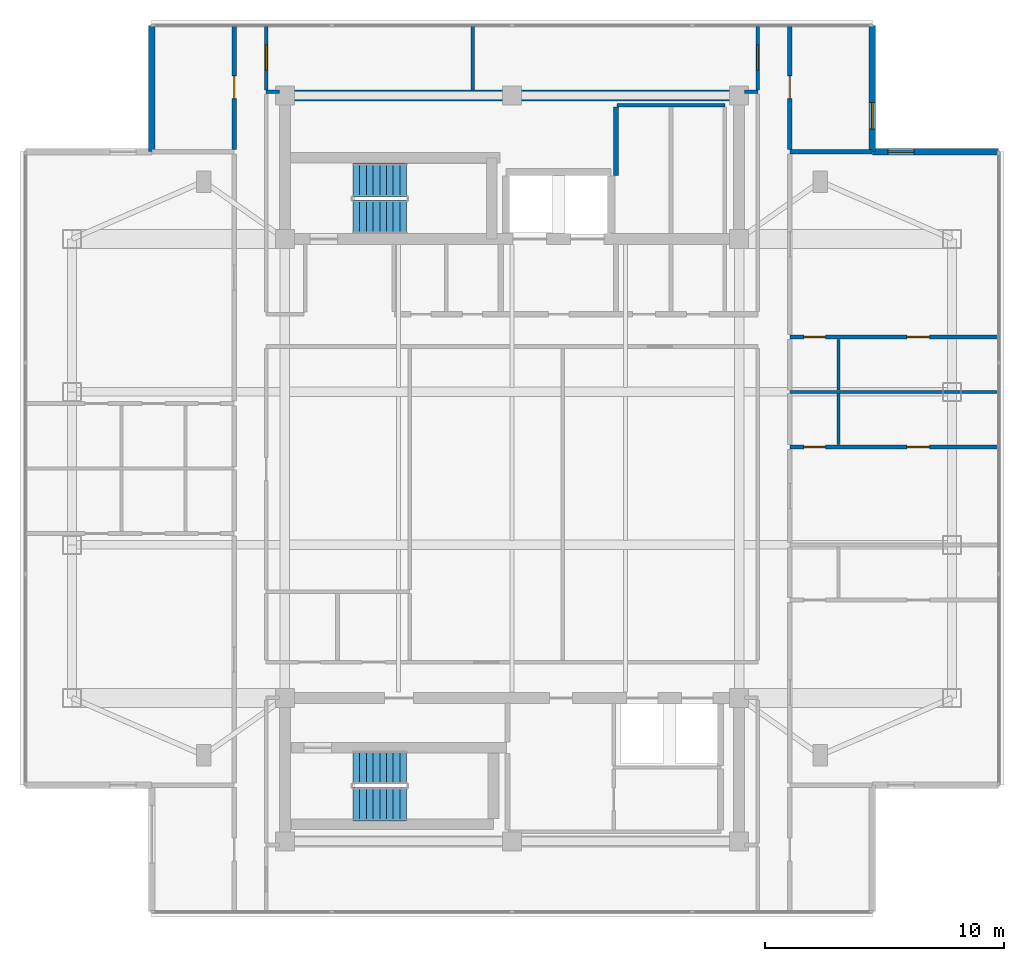
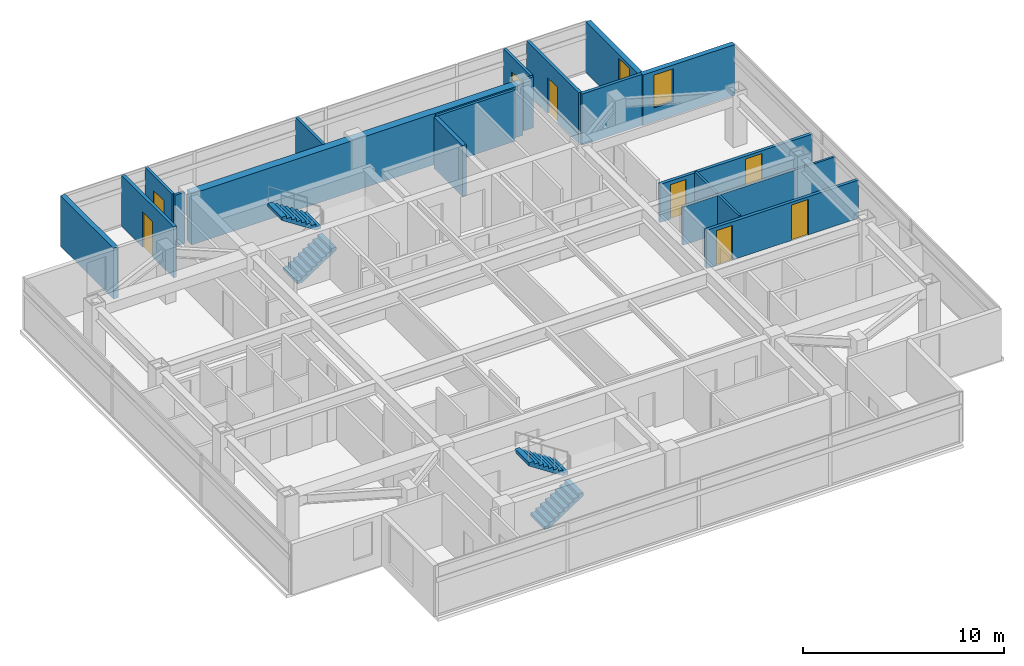
# One storey, part 9 of 12: 19 walls, 8 doors, 4 stair flights, 2 windows, 10 openings, 2 elements without a shape of their own.
"""IFC4 building model written with IfcOpenShell, lengths in metres."""

import ifcopenshell
import ifcopenshell.guid

model = None  # the IFC model being written
_history = None  # IfcOwnerHistory: only IFC2X3 demands one
_inside = {}  # id of a spatial element -> (the spatial element, [elements in it])
_under = {}  # id of a project, library or spatial element -> (it, [spatial elements below it])
_declared = {}  # id of a project -> (the project, [libraries it declares])
_typed = {}  # id of a type object -> (the type object, [elements of that type])
_made_of = {}  # id of a material, layer set ... -> (it, [elements and type objects made of it])


def new_model(schema):
    """Start an empty IFC model of exactly this schema.

    Asked for "IFC4X3", IfcOpenShell would pick the latest addendum, in which some entities
    have other attributes; the version numbers below select the first issue.
    IFC2X3 requires an IfcOwnerHistory on every rooted entity: one is made here for all.
    """
    global model, _history
    if schema == "IFC4X3":
        model = ifcopenshell.file(schema_version=(4, 3, 0, 0))
    else:
        model = ifcopenshell.file(schema=schema)
    _inside.clear()
    _under.clear()
    _declared.clear()
    _typed.clear()
    _made_of.clear()
    _history = None
    if model.schema == "IFC2X3":
        org = make("IfcOrganization", Name="unknown")
        user = make(
            "IfcPersonAndOrganization",
            ThePerson=make("IfcPerson", FamilyName="unknown"),
            TheOrganization=org,
        )
        app = make(
            "IfcApplication",
            ApplicationDeveloper=org,
            Version="unknown",
            ApplicationFullName="unknown",
            ApplicationIdentifier="unknown",
        )
        _history = make(
            "IfcOwnerHistory",
            OwningUser=user,
            OwningApplication=app,
            ChangeAction="ADDED",
            CreationDate=0,
        )
    return model


def make(cls, **values):
    """One entity of the class cls with the attributes given. An attribute that is None is left unset."""
    return model.create_entity(
        cls, **{name: value for name, value in values.items() if value is not None}
    )


def rooted(cls, **values):
    """An entity with a GlobalId (a new one), such as an element, a storey or a relation."""
    return make(cls, GlobalId=ifcopenshell.guid.new(), OwnerHistory=_history, **values)


def si_unit(unit_type, name, prefix=None):
    """IfcSIUnit, for example si_unit("LENGTHUNIT", "METRE", prefix="MILLI")."""
    return make("IfcSIUnit", UnitType=unit_type, Prefix=prefix, Name=name)


def assignment(units):
    """IfcUnitAssignment: the units of a project."""
    return None if units is None else make("IfcUnitAssignment", Units=units)


def point(xyz):
    """IfcCartesianPoint."""
    return None if xyz is None else make("IfcCartesianPoint", Coordinates=xyz)


def direction(xyz):
    """IfcDirection."""
    return None if xyz is None else make("IfcDirection", DirectionRatios=xyz)


def frame(location, z_axis=None, x_axis=None):
    """IfcAxis2Placement3D, a coordinate frame: its origin and axes. An axis left out is left unset."""
    return make(
        "IfcAxis2Placement3D",
        Location=point(location),
        Axis=direction(z_axis),
        RefDirection=direction(x_axis),
    )


def frame_2d(location, x_axis=None):
    """IfcAxis2Placement2D, a coordinate frame in the plane: its origin and x axis."""
    return make(
        "IfcAxis2Placement2D", Location=point(location), RefDirection=direction(x_axis)
    )


def origin():
    """The frame at (0, 0, 0) with its axes left unset."""
    return frame((0.0, 0.0, 0.0))


def place(relative_to, where):
    """IfcLocalPlacement: puts the frame where relative to a parent placement (None: the world)."""
    return make(
        "IfcLocalPlacement", PlacementRelTo=relative_to, RelativePlacement=where
    )


def context(
    kind, dimensions, precision=None, world=None, true_north=None, identifier=None
):
    """IfcGeometricRepresentationContext, for example the 3D "Model" context."""
    return make(
        "IfcGeometricRepresentationContext",
        ContextIdentifier=identifier,
        ContextType=kind,
        CoordinateSpaceDimension=dimensions,
        Precision=precision,
        WorldCoordinateSystem=world,
        TrueNorth=true_north,
    )


def subcontext(parent, identifier, kind, view, scale=None):
    """IfcGeometricRepresentationSubContext, for example "Body" below "Model"."""
    return make(
        "IfcGeometricRepresentationSubContext",
        ContextIdentifier=identifier,
        ContextType=kind,
        ParentContext=parent,
        TargetScale=scale,
        TargetView=view,
    )


def project(units=None, contexts=None):
    """IfcProject with its units and contexts."""
    return rooted(
        "IfcProject",
        Name="project",
        RepresentationContexts=contexts,
        UnitsInContext=assignment(units),
    )


def spatial(cls, under=None, at=None, **own):
    """A site, building, storey or space (cls), placed at a placement, below another one or the project."""
    s = rooted(cls, ObjectPlacement=at, **own)
    if under is not None:
        _under.setdefault(under.id(), (under, []))[1].append(s)
    return s


def polyline(points):
    """IfcPolyline through the points."""
    return make("IfcPolyline", Points=[point(p) for p in points])


def profile(cls, at=None, kind="AREA", **sizes):
    """A parametric profile (cls). Its sizes go by their IFC names, for example OverallWidth=200.0."""
    return make(cls, ProfileType=kind, Position=at, **sizes)


def rectangle(**sizes):
    """IfcRectangleProfileDef."""
    return profile("IfcRectangleProfileDef", **sizes)


def outline(outer, holes=None, kind="AREA"):
    """IfcArbitraryClosedProfileDef: a profile drawn as a closed curve; with holes, ...WithVoids."""
    if holes is None:
        return make("IfcArbitraryClosedProfileDef", ProfileType=kind, OuterCurve=outer)
    return make(
        "IfcArbitraryProfileDefWithVoids",
        ProfileType=kind,
        OuterCurve=outer,
        InnerCurves=holes,
    )


def extrude(swept, where, along, depth):
    """IfcExtrudedAreaSolid: the profile swept, set in the frame where, extruded along a direction by depth."""
    return make(
        "IfcExtrudedAreaSolid",
        SweptArea=swept,
        Position=where,
        ExtrudedDirection=direction(along),
        Depth=depth,
    )


def shape(context_of_items, identifier, shape_type, items):
    """IfcShapeRepresentation: the items that make up one representation, for example the "Body"."""
    return make(
        "IfcShapeRepresentation",
        ContextOfItems=context_of_items,
        RepresentationIdentifier=identifier,
        RepresentationType=shape_type,
        Items=items,
    )


def material(Name=None, Category=None):
    """IfcMaterial."""
    return make("IfcMaterial", Name=Name, Category=Category)


def layer(
    of_material, thickness, ventilated=None, Name=None, Category=None, Priority=None
):
    """IfcMaterialLayer: one layer of a wall or slab, of a material (None: an air gap)."""
    return make(
        "IfcMaterialLayer",
        Material=of_material,
        LayerThickness=thickness,
        IsVentilated=ventilated,
        Name=Name,
        Category=Category,
        Priority=Priority,
    )


def layer_set(layers, Name=None):
    """IfcMaterialLayerSet."""
    return make("IfcMaterialLayerSet", MaterialLayers=layers, LayerSetName=Name)


def made_of(thing, what):
    """Note that an element or type object is made of a material, layer set ...; save() writes the relation."""
    if what is not None:
        _made_of.setdefault(what.id(), (what, []))[1].append(thing)
    return thing


def type_object(cls, material=None, **own):
    """A type object (cls), such as IfcWallType, which elements share."""
    return made_of(rooted(cls, **own), material)


def element(
    cls,
    number,
    at=None,
    inside=None,
    cuts=None,
    type_object=None,
    material=None,
    context=None,
    identifier="Body",
    shape_type=None,
    held_by="IfcProductDefinitionShape",
    body=None,
    shapes=None,
    **own,
):
    """One element of the class cls, such as IfcWall. Its Tag is "e" and its number.

    at: its placement. inside: the storey or other place that contains it. cuts: it is an
    opening in that element (IfcRelVoidsElement). A single representation is given by context,
    identifier, shape_type and body (its items); several are given by shapes. held_by: the class
    of the entity that holds the representations. save() writes the other relations.
    """
    e = rooted(cls, Tag="e%d" % number, ObjectPlacement=at, **own)
    if body is not None:
        shapes = [shape(context, identifier, shape_type, body)]
    if shapes is not None:
        e.Representation = make(held_by, Representations=shapes)
    if inside is not None:
        _inside.setdefault(inside.id(), (inside, []))[1].append(e)
    if cuts is not None:
        rooted(
            "IfcRelVoidsElement", RelatingBuildingElement=cuts, RelatedOpeningElement=e
        )
    if type_object is not None:
        _typed.setdefault(type_object.id(), (type_object, []))[1].append(e)
    return made_of(e, material)


def fill(opening, filler):
    """IfcRelFillsElement: the door or window that sits in an opening."""
    return rooted(
        "IfcRelFillsElement",
        RelatingOpeningElement=opening,
        RelatedBuildingElement=filler,
    )


def aggregate(whole, parts):
    """IfcRelAggregates: a whole, such as a stair, and the parts it consists of."""
    return rooted("IfcRelAggregates", RelatingObject=whole, RelatedObjects=parts)


def save(model, path):
    """Write the relations noted so far, then the file.

    IfcRelAggregates (storeys below a building ...), IfcRelContainedInSpatialStructure (elements
    in a storey), IfcRelDefinesByType, IfcRelAssociatesMaterial and IfcRelDeclares: one each for
    every whole, place, type object, material and project.
    """
    for whole, parts in _under.values():
        aggregate(whole, parts)
    for where, things in _inside.values():
        rooted(
            "IfcRelContainedInSpatialStructure",
            RelatedElements=things,
            RelatingStructure=where,
        )
    for kind, things in _typed.values():
        rooted("IfcRelDefinesByType", RelatedObjects=things, RelatingType=kind)
    for what, things in _made_of.values():
        rooted("IfcRelAssociatesMaterial", RelatedObjects=things, RelatingMaterial=what)
    for by, libraries in _declared.values():
        rooted("IfcRelDeclares", RelatingContext=by, RelatedDefinitions=libraries)
    model.write(path)


model = new_model("IFC4")

# Units and contexts
model_context = context("Model", 3, precision=1e-05, world=origin(), true_north=direction((0.0, 1.0)))
body_context = subcontext(model_context, "Body", "Model", "MODEL_VIEW")
ifc_project = project(units=[si_unit("LENGTHUNIT", "METRE"), si_unit("AREAUNIT", "SQUARE_METRE"), si_unit("VOLUMEUNIT", "CUBIC_METRE"), si_unit("PLANEANGLEUNIT", "RADIAN"), si_unit("MASSUNIT", "GRAM", prefix="KILO")], contexts=[model_context])

# Site, building, storey
site_placement = place(None, origin())
site = spatial("IfcSite", under=ifc_project, at=site_placement, CompositionType="ELEMENT")
building_placement = place(site_placement, origin())
building = spatial("IfcBuilding", under=site, at=building_placement, Name="Mirazonda Arch Towers", CompositionType="ELEMENT")
storey_placement = place(building_placement, frame((0.0, 0.0, 222.699951171875)))
storey = spatial("IfcBuildingStorey", under=building, at=storey_placement, Name="L63", CompositionType="ELEMENT", Elevation=222.699951171875)

# Wall
ifc_material_1 = material(Name="Concrete C50/60", Category="concrete")
ifc_layer_1 = layer(ifc_material_1, 0.449951171875, Name="WALL-CORE-450")
ifc_layer_set_1 = layer_set([ifc_layer_1], Name="Concrete C50/60")
wall_type_1 = type_object("IfcWallType", Name="WALL-CORE-450", PredefinedType="SHEAR", material=ifc_layer_set_1)
wall_1_placement = place(storey_placement, frame((11.0, 43.60009765625, 0.0), z_axis=(0.0, 0.0, 1.0), x_axis=(1.0, 0.0, 0.0)))
element("IfcWall", 1, at=wall_1_placement, inside=storey, type_object=wall_type_1, Name="L63 T1N-N Core Shear Wall", PredefinedType="SHEAR", context=body_context, shape_type="SweptSolid", body=[
    extrude(rectangle(XDim=19.0, YDim=0.449951171875, at=frame_2d((9.5, 0.0))), origin(), (0.0, 0.0, 1.0), 3.10009765625),
])

# Wall, opening, window
ifc_material_2 = material(Name="Precast Concrete C40/50", Category="concrete")
ifc_layer_2 = layer(ifc_material_2, 0.280029296875, Name="WALL-EXT-WALL-280")
ifc_layer_set_2 = layer_set([ifc_layer_2], Name="Precast Concrete C40/50")
wall_type_2 = type_object("IfcWallType", Name="WALL-EXT-WALL-280", PredefinedType="SOLIDWALL", material=ifc_layer_set_2)
wall_2_placement = place(storey_placement, frame((35.570068359375, 41.248046875, 0.0), z_axis=(0.0, 0.0, 1.0), x_axis=(0.0, 1.0, 0.0)))
wall_2 = element("IfcWall", 2, at=wall_2_placement, inside=storey, type_object=wall_type_2, Name="L63 T1 Notched NE Corner Wall WL-L63-T1-CNE", PredefinedType="SOLIDWALL", context=body_context, shape_type="SweptSolid", body=[
    extrude(rectangle(XDim=5.2900390625, YDim=0.280029296875, at=frame_2d((2.64501953125, 0.0))), origin(), (0.0, 0.0, 1.0), 3.080078125),
])
opening_1_placement = place(wall_2_placement, frame((0.949951171875, 0.0, 0.85009765625)))
opening_1 = element("IfcOpeningElement", 3, at=opening_1_placement, cuts=wall_2, Name="Opening WN-108", PredefinedType="OPENING", context=body_context, shape_type="SweptSolid", body=[
    extrude(rectangle(XDim=1.10009765625, YDim=2.0, at=frame_2d((0.550048828125, 1.0))), frame((0.0, 0.14990234375, 0.0), z_axis=(0.0, -1.0, 0.0), x_axis=(1.0, 0.0, 0.0)), (0.0, 0.0, 1.0), 0.300048828125),
])
ifc_material_3 = material(Name="Insulated Low-E Solar Glass", Category="glass")
window_type = type_object("IfcWindowType", Name="WIN-NOTCH-1100x2000", PartitioningType="SINGLE_PANEL", PredefinedType="WINDOW", material=ifc_material_3)
window_1_placement = place(opening_1_placement, origin())
window_1 = element("IfcWindow", 4, at=window_1_placement, inside=storey, type_object=window_type, Name="L63 Punched Facade Window WN-L63-T1-CNE", OverallHeight=2.0, OverallWidth=1.10009765625, PartitioningType="SINGLE_PANEL", PredefinedType="WINDOW", context=body_context, shape_type="SweptSolid", body=[
    extrude(rectangle(XDim=1.10009765625, YDim=2.0, at=frame_2d((0.550048828125, 1.0))), frame((0.0, 0.030029296875, 0.0), z_axis=(0.0, -1.0, 0.0), x_axis=(1.0, 0.0, 0.0)), (0.0, 0.0, 1.0), 0.06005859375),
])
fill(opening_1, window_1)

# Wall
wall_3_placement = place(storey_placement, frame((5.429931640625, 46.5380859375, 0.0), z_axis=(0.0, 0.0, 1.0), x_axis=(0.0, -1.0, 0.0)))
element("IfcWall", 5, at=wall_3_placement, inside=storey, type_object=wall_type_2, Name="L63 T1 Corner Notch Return Wall WL-L63-T1-CNW2", PredefinedType="SOLIDWALL", context=body_context, shape_type="SweptSolid", body=[
    extrude(rectangle(XDim=5.2900390625, YDim=0.280029296875, at=frame_2d((2.64501953125, 0.0))), origin(), (0.0, 0.0, 1.0), 3.080078125),
])

# Wall, opening, window
wall_4_placement = place(storey_placement, frame((40.860107421875, 41.248046875, 0.0), z_axis=(0.0, 0.0, 1.0), x_axis=(-1.0, 0.0, 0.0)))
wall_4 = element("IfcWall", 6, at=wall_4_placement, inside=storey, type_object=wall_type_2, Name="L63 T1 Corner Notch Return Wall WL-L63-T1-CNE2", PredefinedType="SOLIDWALL", context=body_context, shape_type="SweptSolid", body=[
    extrude(rectangle(XDim=5.2900390625, YDim=0.280029296875, at=frame_2d((2.64501953125, 0.0))), origin(), (0.0, 0.0, 1.0), 3.080078125),
])
opening_2_placement = place(wall_4_placement, frame((3.5400390625, 0.0, 0.85009765625)))
opening_2 = element("IfcOpeningElement", 7, at=opening_2_placement, cuts=wall_4, Name="Opening WN-108", PredefinedType="OPENING", context=body_context, shape_type="SweptSolid", body=[
    extrude(rectangle(XDim=1.10009765625, YDim=2.0, at=frame_2d((0.550048828125, 1.0))), frame((0.0, 0.14990234375, 0.0), z_axis=(0.0, -1.0, 0.0), x_axis=(1.0, 0.0, 0.0)), (0.0, 0.0, 1.0), 0.300048828125),
])
window_2_placement = place(opening_2_placement, origin())
window_2 = element("IfcWindow", 8, at=window_2_placement, inside=storey, type_object=window_type, Name="L63 Punched Facade Window WN-L63-T1-CNE2", OverallHeight=2.0, OverallWidth=1.10009765625, PartitioningType="SINGLE_PANEL", PredefinedType="WINDOW", context=body_context, shape_type="SweptSolid", body=[
    extrude(rectangle(XDim=1.10009765625, YDim=2.0, at=frame_2d((0.550048828125, 1.0))), frame((0.0, 0.030029296875, 0.0), z_axis=(0.0, -1.0, 0.0), x_axis=(1.0, 0.0, 0.0)), (0.0, 0.0, 1.0), 0.06005859375),
])
fill(opening_2, window_2)

# Walls
ifc_material_4 = material(Name="Concrete C40/50", Category="concrete")
ifc_layer_3 = layer(ifc_material_4, 0.219970703125, Name="WALL-FFL-220")
ifc_layer_set_3 = layer_set([ifc_layer_3], Name="Concrete C40/50")
wall_type_3 = type_object("IfcWallType", Name="WALL-FFL-220", PredefinedType="SOLIDWALL", material=ifc_layer_set_3)
wall_5_placement = place(storey_placement, frame((24.85009765625, 40.260009765625, 0.0), z_axis=(0.0, 0.0, 1.0), x_axis=(0.0, 1.0, 0.0)))
element("IfcWall", 9, at=wall_5_placement, inside=storey, type_object=wall_type_3, Name="L63 Interior Partition 063", PredefinedType="SOLIDWALL", context=body_context, shape_type="SweptSolid", body=[
    extrude(rectangle(XDim=2.85498046875, YDim=0.219970703125, at=frame_2d((1.427490234375, 0.0))), origin(), (0.0, 0.0, 1.0), 3.10009765625),
])
ifc_material_5 = material(Name="Fire-Rated Gypsum Stud Partition")
ifc_layer_4 = layer(ifc_material_5, 0.14990234375, Name="WALL-PART-CORR-150")
ifc_layer_set_4 = layer_set([ifc_layer_4], Name="Fire-Rated Gypsum Stud Partition")
wall_type_4 = type_object("IfcWallType", Name="WALL-PART-CORR-150", PredefinedType="PARTITIONING", material=ifc_layer_set_4)
wall_6_placement = place(storey_placement, frame((24.89990234375, 43.199951171875, 0.0), z_axis=(0.0, 0.0, 1.0), x_axis=(1.0, 0.0, 0.0)))
element("IfcWall", 10, at=wall_6_placement, inside=storey, type_object=wall_type_4, Name="L63 Interior Partition 027", PredefinedType="PARTITIONING", context=body_context, shape_type="SweptSolid", body=[
    extrude(rectangle(XDim=4.5, YDim=0.14990234375, at=frame_2d((2.25, 0.0))), origin(), (0.0, 0.0, 1.0), 3.10009765625),
])
for number, where, z_axis, x_axis, name in (
    (11, (10.219970703125, 43.75, 0.0), (0.0, 0.0, 1.0), (1.0, 0.0, 0.0), "L63 Interior Partition 028"),
    (12, (30.219970703125, 43.75, 0.0), (0.0, 0.0, 1.0), (1.0, 0.0, 0.0), "L63 Interior Partition 029"),
):
    element("IfcWall", number, at=place(storey_placement, frame(where, z_axis=z_axis, x_axis=x_axis)), inside=storey, type_object=wall_type_4, Name=name, PredefinedType="PARTITIONING", context=body_context, shape_type="SweptSolid", body=[
        extrude(rectangle(XDim=0.56005859375, YDim=0.14990234375, at=frame_2d((0.280029296875, 0.0))), origin(), (0.0, 0.0, 1.0), 3.10009765625),
    ])

# Wall, opening, door
wall_7_placement = place(storey_placement, frame((10.219970703125, 43.8349609375, 0.0), z_axis=(0.0, 0.0, 1.0), x_axis=(0.0, 1.0, 0.0)))
wall_7 = element("IfcWall", 13, at=wall_7_placement, inside=storey, type_object=wall_type_4, Name="L63 Interior Partition 045", PredefinedType="PARTITIONING", context=body_context, shape_type="SweptSolid", body=[
    extrude(rectangle(XDim=2.703125, YDim=0.14990234375, at=frame_2d((1.3515625, 0.0))), origin(), (0.0, 0.0, 1.0), 3.10009765625),
])
opening_3_placement = place(wall_7_placement, frame((0.826416015625, 0.0, 0.0)))
opening_3 = element("IfcOpeningElement", 14, at=opening_3_placement, cuts=wall_7, Name="Opening DR-121", PredefinedType="OPENING", context=body_context, shape_type="SweptSolid", body=[
    extrude(rectangle(XDim=1.050048828125, YDim=2.199951171875, at=frame_2d((0.52490234375, 1.10009765625))), frame((0.0, 0.0849609375, 0.0), z_axis=(0.0, -1.0, 0.0), x_axis=(1.0, 0.0, 0.0)), (0.0, 0.0, 1.0), 0.169921875),
])
ifc_material_6 = material(Name="Architectural Brushed Steel S355", Category="steel")
door_type_1 = type_object("IfcDoorType", Name="DOOR-SUITE-FD60-1050", OperationType="NOTDEFINED", PredefinedType="DOOR", material=ifc_material_6)
door_1_placement = place(opening_3_placement, origin())
door_1 = element("IfcDoor", 15, at=door_1_placement, inside=storey, type_object=door_type_1, Name="L63 North Bay Sunroom West Door", OperationType="SINGLE_SWING_RIGHT", OverallHeight=2.199951171875, OverallWidth=1.050048828125, PredefinedType="DOOR", context=body_context, shape_type="SweptSolid", body=[
    extrude(rectangle(XDim=1.050048828125, YDim=2.199951171875, at=frame_2d((0.52490234375, 1.10009765625))), frame((0.0, 0.02490234375, 0.0), z_axis=(0.0, -1.0, 0.0), x_axis=(1.0, 0.0, 0.0)), (0.0, 0.0, 1.0), 0.050048828125),
])
fill(opening_3, door_1)

# Wall
wall_8_placement = place(storey_placement, frame((18.85498046875, 43.820068359375, 0.0), z_axis=(0.0, 0.0, 1.0), x_axis=(0.0, 1.0, 0.0)))
element("IfcWall", 16, at=wall_8_placement, inside=storey, type_object=wall_type_4, Name="L63 Interior Partition 052", PredefinedType="PARTITIONING", context=body_context, shape_type="SweptSolid", body=[
    extrude(rectangle(XDim=2.718017578125, YDim=0.14990234375, at=frame_2d((1.35888671875, 0.0))), origin(), (0.0, 0.0, 1.0), 3.10009765625),
])

# Wall, opening, door
wall_9_placement = place(storey_placement, frame((30.780029296875, 43.8349609375, 0.0), z_axis=(0.0, 0.0, 1.0), x_axis=(0.0, 1.0, 0.0)))
wall_9 = element("IfcWall", 17, at=wall_9_placement, inside=storey, type_object=wall_type_4, Name="L63 Interior Partition 074", PredefinedType="PARTITIONING", context=body_context, shape_type="SweptSolid", body=[
    extrude(rectangle(XDim=2.703125, YDim=0.14990234375, at=frame_2d((1.3515625, 0.0))), origin(), (0.0, 0.0, 1.0), 3.10009765625),
])
opening_4_placement = place(wall_9_placement, frame((0.826416015625, 0.0, 0.0)))
opening_4 = element("IfcOpeningElement", 18, at=opening_4_placement, cuts=wall_9, Name="Opening DR-121", PredefinedType="OPENING", context=body_context, shape_type="SweptSolid", body=[
    extrude(rectangle(XDim=1.050048828125, YDim=2.199951171875, at=frame_2d((0.52490234375, 1.10009765625))), frame((0.0, 0.0849609375, 0.0), z_axis=(0.0, -1.0, 0.0), x_axis=(1.0, 0.0, 0.0)), (0.0, 0.0, 1.0), 0.169921875),
])
door_2_placement = place(opening_4_placement, origin())
door_2 = element("IfcDoor", 19, at=door_2_placement, inside=storey, type_object=door_type_1, Name="L63 North Bay Sunroom East Door", OperationType="SINGLE_SWING_LEFT", OverallHeight=2.199951171875, OverallWidth=1.050048828125, PredefinedType="DOOR", context=body_context, shape_type="SweptSolid", body=[
    extrude(rectangle(XDim=1.050048828125, YDim=2.199951171875, at=frame_2d((0.52490234375, 1.10009765625))), frame((0.0, 0.02490234375, 0.0), z_axis=(0.0, -1.0, 0.0), x_axis=(1.0, 0.0, 0.0)), (0.0, 0.0, 1.0), 0.050048828125),
])
fill(opening_4, door_2)

# Wall, openings, doors
ifc_material_7 = material(Name="Fire-Rated Gypsum Twin-Stud Assembly")
ifc_layer_5 = layer(ifc_material_7, 0.179931640625, Name="WALL-PART-DEMISE-180")
ifc_layer_set_5 = layer_set([ifc_layer_5], Name="Fire-Rated Gypsum Twin-Stud Assembly")
wall_type_5 = type_object("IfcWallType", Name="WALL-PART-DEMISE-180", PredefinedType="PARTITIONING", material=ifc_layer_set_5)
wall_10_placement = place(storey_placement, frame((32.1201171875, 28.89990234375, 0.0), z_axis=(0.0, 0.0, 1.0), x_axis=(1.0, 0.0, 0.0)))
wall_10 = element("IfcWall", 20, at=wall_10_placement, inside=storey, type_object=wall_type_5, Name="L63 Interior Partition 017", PredefinedType="PARTITIONING", context=body_context, shape_type="SweptSolid", body=[
    extrude(rectangle(XDim=8.739990234375, YDim=0.179931640625, at=frame_2d((4.3701171875, 0.0))), origin(), (0.0, 0.0, 1.0), 2.319091796875),
])
opening_5_placement = place(wall_10_placement, frame((4.89501953125, 0.0, 0.0)))
opening_5 = element("IfcOpeningElement", 21, at=opening_5_placement, cuts=wall_10, Name="Opening DR-104", PredefinedType="OPENING", context=body_context, shape_type="SweptSolid", body=[
    extrude(rectangle(XDim=0.949951171875, YDim=2.14990234375, at=frame_2d((0.47509765625, 1.074951171875))), frame((0.0, 0.099853515625, 0.0), z_axis=(0.0, -1.0, 0.0), x_axis=(1.0, 0.0, 0.0)), (0.0, 0.0, 1.0), 0.199951171875),
])
opening_6_placement = place(wall_10_placement, frame((0.590087890625, 0.0, 0.0)))
opening_6 = element("IfcOpeningElement", 22, at=opening_6_placement, cuts=wall_10, Name="Opening DR-120", PredefinedType="OPENING", context=body_context, shape_type="SweptSolid", body=[
    extrude(rectangle(XDim=0.89990234375, YDim=2.10009765625, at=frame_2d((0.449951171875, 1.050048828125))), frame((0.0, 0.099853515625, 0.0), z_axis=(0.0, -1.0, 0.0), x_axis=(1.0, 0.0, 0.0)), (0.0, 0.0, 1.0), 0.199951171875),
])
door_type_2 = type_object("IfcDoorType", Name="DOOR-ROOM-950", OperationType="NOTDEFINED", PredefinedType="DOOR", material=ifc_material_6)
door_3_placement = place(opening_5_placement, origin())
door_3 = element("IfcDoor", 23, at=door_3_placement, inside=storey, type_object=door_type_2, Name="L63 Studio 2 Galley Kitchen Door", OperationType="SINGLE_SWING_RIGHT", OverallHeight=2.14990234375, OverallWidth=0.949951171875, PredefinedType="DOOR", context=body_context, shape_type="SweptSolid", body=[
    extrude(rectangle(XDim=0.949951171875, YDim=2.14990234375, at=frame_2d((0.47509765625, 1.074951171875))), frame((0.0, 0.02490234375, 0.0), z_axis=(0.0, -1.0, 0.0), x_axis=(1.0, 0.0, 0.0)), (0.0, 0.0, 1.0), 0.050048828125),
])
fill(opening_5, door_3)
door_type_3 = type_object("IfcDoorType", Name="DOOR-WC-900", OperationType="NOTDEFINED", PredefinedType="DOOR", material=ifc_material_6)
door_4_placement = place(opening_6_placement, origin())
door_4 = element("IfcDoor", 24, at=door_4_placement, inside=storey, type_object=door_type_3, Name="L63 Studio 2 Bathroom Door", OperationType="SINGLE_SWING_LEFT", OverallHeight=2.10009765625, OverallWidth=0.89990234375, PredefinedType="DOOR", context=body_context, shape_type="SweptSolid", body=[
    extrude(rectangle(XDim=0.89990234375, YDim=2.10009765625, at=frame_2d((0.449951171875, 1.050048828125))), frame((0.0, 0.02490234375, 0.0), z_axis=(0.0, -1.0, 0.0), x_axis=(1.0, 0.0, 0.0)), (0.0, 0.0, 1.0), 0.050048828125),
])
fill(opening_6, door_4)

wall_11_placement = place(storey_placement, frame((32.1201171875, 33.5, 0.0), z_axis=(0.0, 0.0, 1.0), x_axis=(1.0, 0.0, 0.0)))
wall_11 = element("IfcWall", 25, at=wall_11_placement, inside=storey, type_object=wall_type_5, Name="L63 Interior Partition 021", PredefinedType="PARTITIONING", context=body_context, shape_type="SweptSolid", body=[
    extrude(rectangle(XDim=8.739990234375, YDim=0.179931640625, at=frame_2d((4.3701171875, 0.0))), origin(), (0.0, 0.0, 1.0), 2.319091796875),
])
opening_7_placement = place(wall_11_placement, frame((4.89501953125, 0.0, 0.0)))
opening_7 = element("IfcOpeningElement", 26, at=opening_7_placement, cuts=wall_11, Name="Opening DR-104", PredefinedType="OPENING", context=body_context, shape_type="SweptSolid", body=[
    extrude(rectangle(XDim=0.949951171875, YDim=2.14990234375, at=frame_2d((0.47509765625, 1.074951171875))), frame((0.0, 0.099853515625, 0.0), z_axis=(0.0, -1.0, 0.0), x_axis=(1.0, 0.0, 0.0)), (0.0, 0.0, 1.0), 0.199951171875),
])
opening_8_placement = place(wall_11_placement, frame((0.590087890625, 0.0, 0.0)))
opening_8 = element("IfcOpeningElement", 27, at=opening_8_placement, cuts=wall_11, Name="Opening DR-120", PredefinedType="OPENING", context=body_context, shape_type="SweptSolid", body=[
    extrude(rectangle(XDim=0.89990234375, YDim=2.10009765625, at=frame_2d((0.449951171875, 1.050048828125))), frame((0.0, 0.099853515625, 0.0), z_axis=(0.0, -1.0, 0.0), x_axis=(1.0, 0.0, 0.0)), (0.0, 0.0, 1.0), 0.199951171875),
])
door_5_placement = place(opening_7_placement, origin())
door_5 = element("IfcDoor", 28, at=door_5_placement, inside=storey, type_object=door_type_2, Name="L63 Studio 3 Galley Kitchen Door", OperationType="SINGLE_SWING_LEFT", OverallHeight=2.14990234375, OverallWidth=0.949951171875, PredefinedType="DOOR", context=body_context, shape_type="SweptSolid", body=[
    extrude(rectangle(XDim=0.949951171875, YDim=2.14990234375, at=frame_2d((0.47509765625, 1.074951171875))), frame((0.0, 0.02490234375, 0.0), z_axis=(0.0, -1.0, 0.0), x_axis=(1.0, 0.0, 0.0)), (0.0, 0.0, 1.0), 0.050048828125),
])
fill(opening_7, door_5)
door_6_placement = place(opening_8_placement, origin())
door_6 = element("IfcDoor", 29, at=door_6_placement, inside=storey, type_object=door_type_3, Name="L63 Studio 3 Bathroom Door", OperationType="SINGLE_SWING_RIGHT", OverallHeight=2.10009765625, OverallWidth=0.89990234375, PredefinedType="DOOR", context=body_context, shape_type="SweptSolid", body=[
    extrude(rectangle(XDim=0.89990234375, YDim=2.10009765625, at=frame_2d((0.449951171875, 1.050048828125))), frame((0.0, 0.02490234375, 0.0), z_axis=(0.0, -1.0, 0.0), x_axis=(1.0, 0.0, 0.0)), (0.0, 0.0, 1.0), 0.050048828125),
])
fill(opening_8, door_6)

# Wall
wall_12_placement = place(storey_placement, frame((32.1201171875, 41.248046875, 0.0), z_axis=(0.0, 0.0, 1.0), x_axis=(1.0, 0.0, 0.0)))
element("IfcWall", 30, at=wall_12_placement, inside=storey, type_object=wall_type_5, Name="L63 Interior Partition 026", PredefinedType="PARTITIONING", context=body_context, shape_type="SweptSolid", body=[
    extrude(rectangle(XDim=3.429931640625, YDim=0.179931640625, at=frame_2d((1.71484375, 0.0))), origin(), (0.0, 0.0, 1.0), 3.10009765625),
])

# Wall, opening, door
wall_13_placement = place(storey_placement, frame((8.8798828125, 41.347900390625, 0.0), z_axis=(0.0, 0.0, 1.0), x_axis=(0.0, 1.0, 0.0)))
wall_13 = element("IfcWall", 31, at=wall_13_placement, inside=storey, type_object=wall_type_5, Name="L63 Interior Partition 039", PredefinedType="PARTITIONING", context=body_context, shape_type="SweptSolid", body=[
    extrude(rectangle(XDim=5.190185546875, YDim=0.179931640625, at=frame_2d((2.59521484375, 0.0))), origin(), (0.0, 0.0, 1.0), 3.10009765625),
])
opening_9_placement = place(wall_13_placement, frame((2.1201171875, 0.0, 0.0)))
opening_9 = element("IfcOpeningElement", 32, at=opening_9_placement, cuts=wall_13, Name="Opening DR-104", PredefinedType="OPENING", context=body_context, shape_type="SweptSolid", body=[
    extrude(rectangle(XDim=0.949951171875, YDim=2.14990234375, at=frame_2d((0.47509765625, 1.074951171875))), frame((0.0, 0.099853515625, 0.0), z_axis=(0.0, -1.0, 0.0), x_axis=(1.0, 0.0, 0.0)), (0.0, 0.0, 1.0), 0.199951171875),
])
door_7_placement = place(opening_9_placement, origin())
door_7 = element("IfcDoor", 33, at=door_7_placement, inside=storey, type_object=door_type_2, Name="L63 North Bay Sunroom Alcove West Door", OperationType="SINGLE_SWING_RIGHT", OverallHeight=2.14990234375, OverallWidth=0.949951171875, PredefinedType="DOOR", context=body_context, shape_type="SweptSolid", body=[
    extrude(rectangle(XDim=0.949951171875, YDim=2.14990234375, at=frame_2d((0.47509765625, 1.074951171875))), frame((0.0, 0.02490234375, 0.0), z_axis=(0.0, -1.0, 0.0), x_axis=(1.0, 0.0, 0.0)), (0.0, 0.0, 1.0), 0.050048828125),
])
fill(opening_9, door_7)

wall_14_placement = place(storey_placement, frame((32.1201171875, 41.347900390625, 0.0), z_axis=(0.0, 0.0, 1.0), x_axis=(0.0, 1.0, 0.0)))
wall_14 = element("IfcWall", 34, at=wall_14_placement, inside=storey, type_object=wall_type_5, Name="L63 Interior Partition 082", PredefinedType="PARTITIONING", context=body_context, shape_type="SweptSolid", body=[
    extrude(rectangle(XDim=5.190185546875, YDim=0.179931640625, at=frame_2d((2.59521484375, 0.0))), origin(), (0.0, 0.0, 1.0), 3.10009765625),
])
opening_10_placement = place(wall_14_placement, frame((2.1201171875, 0.0, 0.0)))
opening_10 = element("IfcOpeningElement", 35, at=opening_10_placement, cuts=wall_14, Name="Opening DR-104", PredefinedType="OPENING", context=body_context, shape_type="SweptSolid", body=[
    extrude(rectangle(XDim=0.949951171875, YDim=2.14990234375, at=frame_2d((0.47509765625, 1.074951171875))), frame((0.0, 0.099853515625, 0.0), z_axis=(0.0, -1.0, 0.0), x_axis=(1.0, 0.0, 0.0)), (0.0, 0.0, 1.0), 0.199951171875),
])
door_8_placement = place(opening_10_placement, origin())
door_8 = element("IfcDoor", 36, at=door_8_placement, inside=storey, type_object=door_type_2, Name="L63 North Bay Sunroom Alcove East Door", OperationType="SINGLE_SWING_LEFT", OverallHeight=2.14990234375, OverallWidth=0.949951171875, PredefinedType="DOOR", context=body_context, shape_type="SweptSolid", body=[
    extrude(rectangle(XDim=0.949951171875, YDim=2.14990234375, at=frame_2d((0.47509765625, 1.074951171875))), frame((0.0, 0.02490234375, 0.0), z_axis=(0.0, -1.0, 0.0), x_axis=(1.0, 0.0, 0.0)), (0.0, 0.0, 1.0), 0.050048828125),
])
fill(opening_10, door_8)

# Walls
ifc_material_8 = material(Name="Acoustic Fire-Rated Gypsum Partition")
ifc_layer_6 = layer(ifc_material_8, 0.125, Name="WALL-PART-UNIT-125")
ifc_layer_set_6 = layer_set([ifc_layer_6], Name="Acoustic Fire-Rated Gypsum Partition")
wall_type_6 = type_object("IfcWallType", Name="WALL-PART-UNIT-125", PredefinedType="PARTITIONING", material=ifc_layer_set_6)
wall_15_placement = place(storey_placement, frame((32.1201171875, 31.199951171875, 0.0), z_axis=(0.0, 0.0, 1.0), x_axis=(1.0, 0.0, 0.0)))
element("IfcWall", 37, at=wall_15_placement, inside=storey, type_object=wall_type_6, Name="L63 Interior Partition 019", PredefinedType="PARTITIONING", context=body_context, shape_type="SweptSolid", body=[
    extrude(rectangle(XDim=8.739990234375, YDim=0.125, at=frame_2d((4.3701171875, 0.0))), origin(), (0.0, 0.0, 1.0), 2.319091796875),
])
for number, where, z_axis, x_axis, name in (
    (38, (34.159912109375, 29.0, 0.0), (0.0, 0.0, 1.0), (0.0, 1.0, 0.0), "L63 Interior Partition 084"),
    (39, (34.159912109375, 31.2724609375, 0.0), (0.0, 0.0, 1.0), (0.0, 1.0, 0.0), "L63 Interior Partition 085"),
):
    element("IfcWall", number, at=place(storey_placement, frame(where, z_axis=z_axis, x_axis=x_axis)), inside=storey, type_object=wall_type_6, Name=name, PredefinedType="PARTITIONING", context=body_context, shape_type="SweptSolid", body=[
        extrude(rectangle(XDim=2.12744140625, YDim=0.125, at=frame_2d((1.063720703125, 0.0))), origin(), (0.0, 0.0, 1.0), 2.39599609375),
    ])

# Stair, stair flights
stair_type = type_object("IfcStairType", Name="STAIR-CORE-1400", PredefinedType="HALF_TURN_STAIR", material=ifc_material_4)
stair_1_placement = place(storey_placement, origin())
stair_1 = element("IfcStair", 40, at=stair_1_placement, inside=storey, type_object=stair_type, Name="L63 Protected Exit Stair ST-T1N", PredefinedType="HALF_TURN_STAIR")
stair_flight_type = type_object("IfcStairFlightType", Name="FLIGHT-1400", PredefinedType="STRAIGHT", material=ifc_material_4)
stair_flight_1_placement = place(storey_placement, frame((13.85009765625, 38.52001953125, 0.0), z_axis=(0.0, 0.0, 1.0), x_axis=(1.0, 0.0, 0.0)))
stair_flight_1 = element("IfcStairFlight", 41, at=stair_flight_1_placement, type_object=stair_flight_type, Name="ST-T1N flight 1", NumberOfRisers=9, NumberOfTreads=8, PredefinedType="STRAIGHT", RiserHeight=0.183333333, TreadLength=0.28, context=body_context, shape_type="SweptSolid", body=[
    extrude(outline(polyline([(0.0, 0.0), (0.0, 0.183349609375), (0.280029296875, 0.183349609375), (0.280029296875, 0.36669921875), (0.56005859375, 0.36669921875), (0.56005859375, 0.550048828125), (0.840087890625, 0.550048828125), (0.840087890625, 0.7333984375), (1.1201171875, 0.7333984375), (1.1201171875, 0.916748046875), (1.39990234375, 0.916748046875), (1.39990234375, 1.10009765625), (1.679931640625, 1.10009765625), (1.679931640625, 1.283447265625), (1.9599609375, 1.283447265625), (1.9599609375, 1.466552734375), (2.239990234375, 1.466552734375), (2.239990234375, 1.64990234375), (2.239990234375, 1.275634765625), (0.2919921875, 0.0), (0.0, 0.0)])), frame((0.0, 0.699951171875, 0.0), z_axis=(0.0, -1.0, 0.0), x_axis=(1.0, 0.0, 0.0)), (0.0, 0.0, 1.0), 1.39990234375),
])
stair_flight_2_placement = place(storey_placement, frame((16.090087890625, 40.06005859375, 1.650146484375), z_axis=(0.0, 0.0, 1.0), x_axis=(-1.0, 0.0, 0.0)))
stair_flight_2 = element("IfcStairFlight", 42, at=stair_flight_2_placement, type_object=stair_flight_type, Name="ST-T1N flight 2", NumberOfRisers=9, NumberOfTreads=8, PredefinedType="STRAIGHT", RiserHeight=0.183333333, TreadLength=0.28, context=body_context, shape_type="SweptSolid", body=[
    extrude(outline(polyline([(0.0, 0.0), (0.0, 0.183349609375), (0.280029296875, 0.183349609375), (0.280029296875, 0.36669921875), (0.56005859375, 0.36669921875), (0.56005859375, 0.550048828125), (0.840087890625, 0.550048828125), (0.840087890625, 0.7333984375), (1.1201171875, 0.7333984375), (1.1201171875, 0.916748046875), (1.39990234375, 0.916748046875), (1.39990234375, 1.10009765625), (1.679931640625, 1.10009765625), (1.679931640625, 1.283447265625), (1.9599609375, 1.283447265625), (1.9599609375, 1.466552734375), (2.239990234375, 1.466552734375), (2.239990234375, 1.64990234375), (2.239990234375, 1.275634765625), (0.2919921875, 0.0), (0.0, 0.0)])), frame((0.0, 0.699951171875, 0.0), z_axis=(0.0, -1.0, 0.0), x_axis=(1.0, 0.0, 0.0)), (0.0, 0.0, 1.0), 1.39990234375),
])
aggregate(stair_1, [stair_flight_1, stair_flight_2])

stair_2_placement = place(storey_placement, origin())
stair_2 = element("IfcStair", 43, at=stair_2_placement, inside=storey, type_object=stair_type, Name="L63 Protected Exit Stair ST-T1S", PredefinedType="HALF_TURN_STAIR")
stair_flight_3_placement = place(storey_placement, frame((13.85009765625, 13.949951171875, 0.0), z_axis=(0.0, 0.0, 1.0), x_axis=(1.0, 0.0, 0.0)))
stair_flight_3 = element("IfcStairFlight", 44, at=stair_flight_3_placement, type_object=stair_flight_type, Name="ST-T1S flight 1", NumberOfRisers=9, NumberOfTreads=8, PredefinedType="STRAIGHT", RiserHeight=0.183333333, TreadLength=0.28, context=body_context, shape_type="SweptSolid", body=[
    extrude(outline(polyline([(0.0, 0.0), (0.0, 0.183349609375), (0.280029296875, 0.183349609375), (0.280029296875, 0.36669921875), (0.56005859375, 0.36669921875), (0.56005859375, 0.550048828125), (0.840087890625, 0.550048828125), (0.840087890625, 0.7333984375), (1.1201171875, 0.7333984375), (1.1201171875, 0.916748046875), (1.39990234375, 0.916748046875), (1.39990234375, 1.10009765625), (1.679931640625, 1.10009765625), (1.679931640625, 1.283447265625), (1.9599609375, 1.283447265625), (1.9599609375, 1.466552734375), (2.239990234375, 1.466552734375), (2.239990234375, 1.64990234375), (2.239990234375, 1.275634765625), (0.2919921875, 0.0), (0.0, 0.0)])), frame((0.0, 0.699951171875, 0.0), z_axis=(0.0, -1.0, 0.0), x_axis=(1.0, 0.0, 0.0)), (0.0, 0.0, 1.0), 1.39990234375),
])
stair_flight_4_placement = place(storey_placement, frame((16.090087890625, 15.489990234375, 1.650146484375), z_axis=(0.0, 0.0, 1.0), x_axis=(-1.0, 0.0, 0.0)))
stair_flight_4 = element("IfcStairFlight", 45, at=stair_flight_4_placement, type_object=stair_flight_type, Name="ST-T1S flight 2", NumberOfRisers=9, NumberOfTreads=8, PredefinedType="STRAIGHT", RiserHeight=0.183333333, TreadLength=0.28, context=body_context, shape_type="SweptSolid", body=[
    extrude(outline(polyline([(0.0, 0.0), (0.0, 0.183349609375), (0.280029296875, 0.183349609375), (0.280029296875, 0.36669921875), (0.56005859375, 0.36669921875), (0.56005859375, 0.550048828125), (0.840087890625, 0.550048828125), (0.840087890625, 0.7333984375), (1.1201171875, 0.7333984375), (1.1201171875, 0.916748046875), (1.39990234375, 0.916748046875), (1.39990234375, 1.10009765625), (1.679931640625, 1.10009765625), (1.679931640625, 1.283447265625), (1.9599609375, 1.283447265625), (1.9599609375, 1.466552734375), (2.239990234375, 1.466552734375), (2.239990234375, 1.64990234375), (2.239990234375, 1.275634765625), (0.2919921875, 0.0), (0.0, 0.0)])), frame((0.0, 0.699951171875, 0.0), z_axis=(0.0, -1.0, 0.0), x_axis=(1.0, 0.0, 0.0)), (0.0, 0.0, 1.0), 1.39990234375),
])
aggregate(stair_2, [stair_flight_3, stair_flight_4])

save(model, "model.ifc")
